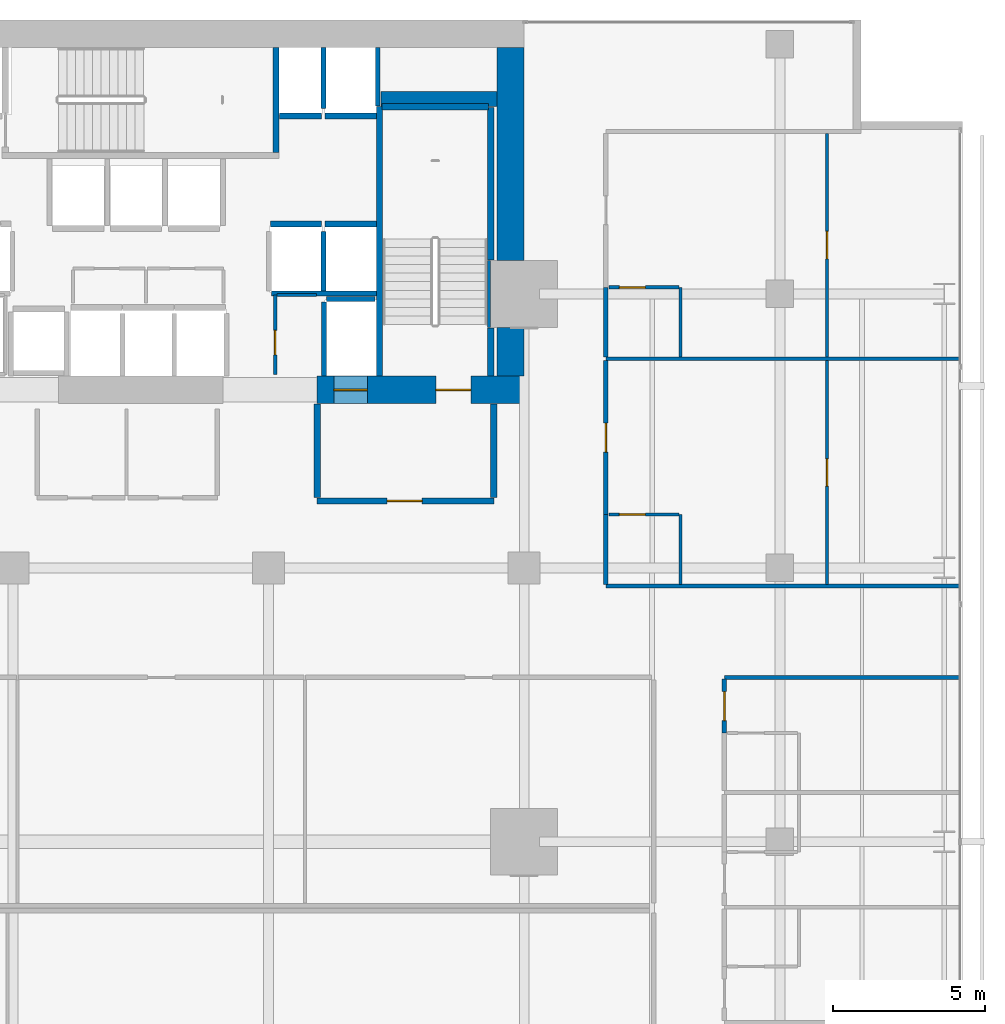
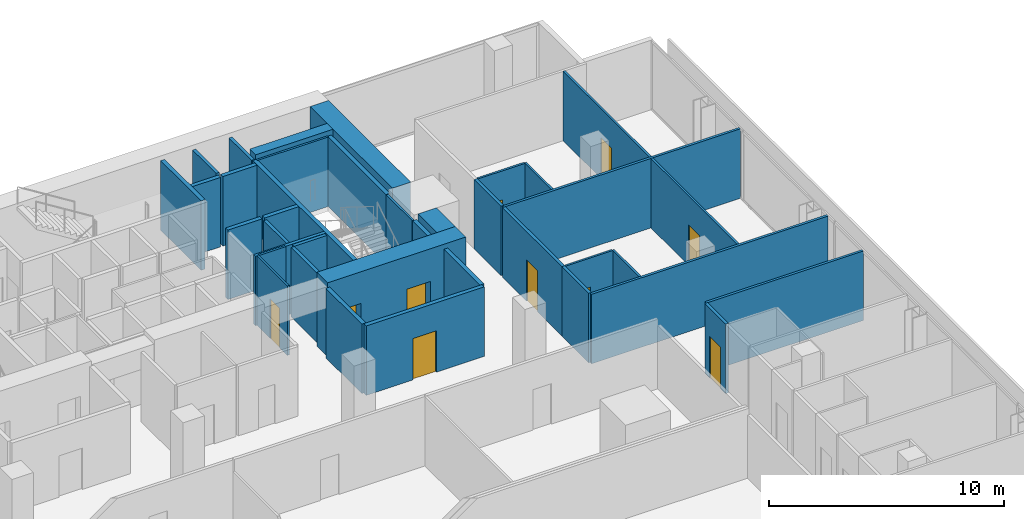
# One storey, part 37 of 40: 38 walls, 10 doors, 10 openings.
"""IFC4 building model written with IfcOpenShell, lengths in metres."""

from ifc_helpers import new_model, si_unit, direction, frame, frame_2d, origin, place, context, subcontext, project, spatial, rectangle, extrude, material, layer, layer_set, type_object, element, fill, save


model = new_model("IFC4")

# Units and contexts
model_context = context("Model", 3, precision=1e-05, world=origin(), true_north=direction((0.0, 1.0)))
body_context = subcontext(model_context, "Body", "Model", "MODEL_VIEW")
ifc_project = project(units=[si_unit("LENGTHUNIT", "METRE"), si_unit("AREAUNIT", "SQUARE_METRE"), si_unit("VOLUMEUNIT", "CUBIC_METRE"), si_unit("PLANEANGLEUNIT", "RADIAN"), si_unit("MASSUNIT", "GRAM", prefix="KILO")], contexts=[model_context])

# Site, building, storey
site_placement = place(None, origin())
site = spatial("IfcSite", under=ifc_project, at=site_placement, CompositionType="ELEMENT")
building_placement = place(site_placement, origin())
building = spatial("IfcBuilding", under=site, at=building_placement, Name="Maruvema Waterfront Hotel and Observation Tower", CompositionType="ELEMENT")
storey_placement = place(building_placement, frame((0.0, 0.0, 107.800048828125)))
storey = spatial("IfcBuildingStorey", under=building, at=storey_placement, Name="L26", CompositionType="ELEMENT", Elevation=107.800048828125)

# Wall, opening, door
ifc_material_1 = material(Name="Twin-stud acoustic gypsum drywall", Category="gypsum")
ifc_layer_1 = layer(ifc_material_1, 0.14990234375, Name="Acoustic Corridor and Suite Demising Wall 150 mm")
ifc_layer_set_1 = layer_set([ifc_layer_1], Name="Twin-stud acoustic gypsum drywall")
wall_type_1 = type_object("IfcWallType", Name="Acoustic Corridor and Suite Demising Wall 150 mm", PredefinedType="PARTITIONING", material=ifc_layer_set_1)
wall_1_placement = place(storey_placement, frame((56.97998046875, 30.570068359375, 0.0), z_axis=(0.0, 0.0, 1.0), x_axis=(0.0, 1.0, 0.0)))
wall_1 = element("IfcWall", 1, at=wall_1_placement, inside=storey, type_object=wall_type_1, Name="L26 Room L26-E4 Corridor Wall 106", PredefinedType="PARTITIONING", context=body_context, shape_type="SweptSolid", body=[
    extrude(rectangle(XDim=1.77001953125, YDim=0.14990234375, at=frame_2d((0.885009765625, 0.0))), origin(), (0.0, 0.0, 1.0), 3.60986328125),
])
opening_1_placement = place(wall_1_placement, frame((0.409912109375, 0.0, 0.0)))
opening_1 = element("IfcOpeningElement", 2, at=opening_1_placement, cuts=wall_1, Name="Opening DR-095", PredefinedType="OPENING", context=body_context, shape_type="SweptSolid", body=[
    extrude(rectangle(XDim=0.949951171875, YDim=2.14990234375, at=frame_2d((0.47509765625, 1.074951171875))), frame((0.0, 0.0849609375, 0.0), z_axis=(0.0, -1.0, 0.0), x_axis=(1.0, 0.0, 0.0)), (0.0, 0.0, 1.0), 0.169921875),
])
ifc_material_2 = material(Name="Acoustic solid-core hardwood timber leaf", Category="wood")
door_type_1 = type_object("IfcDoorType", Name="Guestroom Entrance Fire Door 950x2150 mm", OperationType="NOTDEFINED", PredefinedType="DOOR", material=ifc_material_2)
door_1_placement = place(opening_1_placement, frame((0.949951171875, 0.0, 0.0), z_axis=(0.0, 0.0, 1.0), x_axis=(-1.0, 0.0, 0.0)))
door_1 = element("IfcDoor", 3, at=door_1_placement, inside=storey, type_object=door_type_1, Name="L26 Room L26-E4 Entrance Door", OperationType="SINGLE_SWING_LEFT", OverallHeight=2.14990234375, OverallWidth=0.949951171875, PredefinedType="DOOR", context=body_context, shape_type="SweptSolid", body=[
    extrude(rectangle(XDim=0.949951171875, YDim=2.14990234375, at=frame_2d((0.47509765625, 1.074951171875))), frame((0.0, 0.02490234375, 0.0), z_axis=(0.0, -1.0, 0.0), x_axis=(1.0, 0.0, 0.0)), (0.0, 0.0, 1.0), 0.050048828125),
])
fill(opening_1, door_1)

# Wall
wall_2_placement = place(storey_placement, frame((53.080078125, 35.4599609375, 0.0), z_axis=(0.0, 0.0, 1.0), x_axis=(0.0, 1.0, 0.0)))
element("IfcWall", 4, at=wall_2_placement, inside=storey, type_object=wall_type_1, Name="L26 Bath L26-NE1 Wall 118", PredefinedType="PARTITIONING", context=body_context, shape_type="SweptSolid", body=[
    extrude(rectangle(XDim=2.2900390625, YDim=0.14990234375, at=frame_2d((1.14501953125, 0.0))), origin(), (0.0, 0.0, 1.0), 3.60986328125),
])

# Wall, opening, door
wall_3_placement = place(storey_placement, frame((53.080078125, 37.75, 0.0), z_axis=(0.0, 0.0, 1.0), x_axis=(0.0, 1.0, 0.0)))
wall_3 = element("IfcWall", 5, at=wall_3_placement, inside=storey, type_object=wall_type_1, Name="L26 Room L26-NE1 Corridor Wall 119", PredefinedType="PARTITIONING", context=body_context, shape_type="SweptSolid", body=[
    extrude(rectangle(XDim=5.05859375, YDim=0.14990234375, at=frame_2d((2.529296875, 0.0))), origin(), (0.0, 0.0, 1.0), 3.60986328125),
])
opening_2_placement = place(wall_3_placement, frame((2.054443359375, 0.0, 0.0)))
opening_2 = element("IfcOpeningElement", 6, at=opening_2_placement, cuts=wall_3, Name="Opening DR-095", PredefinedType="OPENING", context=body_context, shape_type="SweptSolid", body=[
    extrude(rectangle(XDim=0.949951171875, YDim=2.14990234375, at=frame_2d((0.47509765625, 1.074951171875))), frame((0.0, 0.0849609375, 0.0), z_axis=(0.0, -1.0, 0.0), x_axis=(1.0, 0.0, 0.0)), (0.0, 0.0, 1.0), 0.169921875),
])
door_2_placement = place(opening_2_placement, frame((0.949951171875, 0.0, 0.0), z_axis=(0.0, 0.0, 1.0), x_axis=(-1.0, 0.0, 0.0)))
door_2 = element("IfcDoor", 7, at=door_2_placement, inside=storey, type_object=door_type_1, Name="L26 Room L26-NE1 Entrance Door", OperationType="SINGLE_SWING_RIGHT", OverallHeight=2.14990234375, OverallWidth=0.949951171875, PredefinedType="DOOR", context=body_context, shape_type="SweptSolid", body=[
    extrude(rectangle(XDim=0.949951171875, YDim=2.14990234375, at=frame_2d((0.47509765625, 1.074951171875))), frame((0.0, 0.02490234375, 0.0), z_axis=(0.0, -1.0, 0.0), x_axis=(1.0, 0.0, 0.0)), (0.0, 0.0, 1.0), 0.050048828125),
])
fill(opening_2, door_2)

# Walls
wall_4_placement = place(storey_placement, frame((53.080078125, 42.9287109375, 0.0), z_axis=(0.0, 0.0, 1.0), x_axis=(0.0, 1.0, 0.0)))
element("IfcWall", 8, at=wall_4_placement, inside=storey, type_object=wall_type_1, Name="L26 Bath L26-NE2 Wall 130", PredefinedType="PARTITIONING", context=body_context, shape_type="SweptSolid", body=[
    extrude(rectangle(XDim=2.2900390625, YDim=0.14990234375, at=frame_2d((1.14501953125, 0.0))), origin(), (0.0, 0.0, 1.0), 3.60986328125),
])
ifc_material_3 = material(Name="Precast concrete C45/55", Category="concrete")
ifc_layer_2 = layer(ifc_material_3, 0.199951171875, Name="Core Shaft and Stairwell Enclosure Wall 200 mm")
ifc_layer_set_2 = layer_set([ifc_layer_2], Name="Precast concrete C45/55")
wall_type_2 = type_object("IfcWallType", Name="Core Shaft and Stairwell Enclosure Wall 200 mm", PredefinedType="SOLIDWALL", material=ifc_layer_set_2)
wall_5_placement = place(storey_placement, frame((42.25, 49.64990234375, 0.0), z_axis=(0.0, 0.0, 1.0), x_axis=(0.0, 1.0, 0.0)))
element("IfcWall", 9, at=wall_5_placement, inside=storey, type_object=wall_type_2, Name="L26 Stairwell ST-02 Shaft Wall", PredefinedType="SOLIDWALL", context=body_context, shape_type="SweptSolid", body=[
    extrude(rectangle(XDim=3.4501953125, YDim=0.199951171875, at=frame_2d((1.72509765625, 0.0))), origin(), (0.0, 0.0, 1.0), 3.60986328125),
])
wall_6_placement = place(storey_placement, frame((45.64990234375, 42.300048828125, 0.0), z_axis=(0.0, 0.0, 1.0), x_axis=(0.0, 1.0, 0.0)))
element("IfcWall", 10, at=wall_6_placement, inside=storey, type_object=wall_type_2, Name="L26 Stairwell ST-03 West Shaft Wall", PredefinedType="SOLIDWALL", context=body_context, shape_type="SweptSolid", body=[
    extrude(rectangle(XDim=8.849853515625, YDim=0.199951171875, at=frame_2d((4.4248046875, 0.0))), origin(), (0.0, 0.0, 1.0), 3.60986328125),
])
wall_7_placement = place(storey_placement, frame((49.300048828125, 42.300048828125, 0.0), z_axis=(0.0, 0.0, 1.0), x_axis=(0.0, 1.0, 0.0)))
element("IfcWall", 11, at=wall_7_placement, inside=storey, type_object=wall_type_2, Name="L26 Stairwell ST-03 Shaft Lining Wall", PredefinedType="SOLIDWALL", context=body_context, shape_type="SweptSolid", body=[
    extrude(rectangle(XDim=1.579833984375, YDim=0.199951171875, at=frame_2d((0.7900390625, 0.0))), origin(), (0.0, 0.0, 1.0), 3.60986328125),
])
wall_8_placement = place(storey_placement, frame((49.300048828125, 46.1201171875, 0.0), z_axis=(0.0, 0.0, 1.0), x_axis=(0.0, 1.0, 0.0)))
element("IfcWall", 12, at=wall_8_placement, inside=storey, type_object=wall_type_2, Name="L26 Stairwell ST-03 Shaft Lining Wall", PredefinedType="SOLIDWALL", context=body_context, shape_type="SweptSolid", body=[
    extrude(rectangle(XDim=5.0, YDim=0.199951171875, at=frame_2d((2.5, 0.0))), origin(), (0.0, 0.0, 1.0), 3.60986328125),
])
wall_9_placement = place(storey_placement, frame((45.719970703125, 51.14990234375, 0.0), z_axis=(0.0, 0.0, 1.0), x_axis=(1.0, 0.0, 0.0)))
element("IfcWall", 13, at=wall_9_placement, inside=storey, type_object=wall_type_2, Name="L26 Stairwell ST-03 Shaft Lining Wall", PredefinedType="SOLIDWALL", context=body_context, shape_type="SweptSolid", body=[
    extrude(rectangle(XDim=3.5, YDim=0.199951171875, at=frame_2d((1.75, 0.0))), origin(), (0.0, 0.0, 1.0), 3.60986328125),
])
for number, where, z_axis, x_axis, name in (
    (14, (42.06005859375, 47.300048828125, 0.0), (0.0, 0.0, 1.0), (1.0, 0.0, 0.0), "L26 Lift LF-05 Hoistway Front Wall"),
    (15, (43.860107421875, 47.300048828125, 0.0), (0.0, 0.0, 1.0), (1.0, 0.0, 0.0), "L26 Lift LF-06 Hoistway Front Wall"),
):
    element("IfcWall", number, at=place(storey_placement, frame(where, z_axis=z_axis, x_axis=x_axis)), inside=storey, type_object=wall_type_2, Name=name, PredefinedType="SOLIDWALL", context=body_context, shape_type="SweptSolid", body=[
        extrude(rectangle(XDim=1.679931640625, YDim=0.199951171875, at=frame_2d((0.83984375, 0.0))), origin(), (0.0, 0.0, 1.0), 3.60986328125),
    ])
wall_10_placement = place(storey_placement, frame((42.360107421875, 50.85009765625, 0.0), z_axis=(0.0, 0.0, 1.0), x_axis=(1.0, 0.0, 0.0)))
element("IfcWall", 16, at=wall_10_placement, inside=storey, type_object=wall_type_2, Name="L26 Lift LF-07 Hoistway Front Wall", PredefinedType="SOLIDWALL", context=body_context, shape_type="SweptSolid", body=[
    extrude(rectangle(XDim=1.3798828125, YDim=0.199951171875, at=frame_2d((0.68994140625, 0.0))), origin(), (0.0, 0.0, 1.0), 3.60986328125),
])
wall_11_placement = place(storey_placement, frame((43.860107421875, 50.85009765625, 0.0), z_axis=(0.0, 0.0, 1.0), x_axis=(1.0, 0.0, 0.0)))
element("IfcWall", 17, at=wall_11_placement, inside=storey, type_object=wall_type_2, Name="L26 Lift LF-08 Hoistway Front Wall", PredefinedType="SOLIDWALL", context=body_context, shape_type="SweptSolid", body=[
    extrude(rectangle(XDim=1.679931640625, YDim=0.199951171875, at=frame_2d((0.83984375, 0.0))), origin(), (0.0, 0.0, 1.0), 3.60986328125),
])
ifc_material_4 = material(Name="Concrete C70/85", Category="concrete")
ifc_layer_3 = layer(ifc_material_4, 0.5, Name="Core Shear Wall 500 mm")
ifc_layer_set_3 = layer_set([ifc_layer_3], Name="Concrete C70/85")
wall_type_3 = type_object("IfcWallType", Name="Core Shear Wall 500 mm", PredefinedType="SHEAR", material=ifc_layer_set_3)
wall_12_placement = place(storey_placement, frame((45.699951171875, 51.39990234375, 0.0), z_axis=(0.0, 0.0, 1.0), x_axis=(1.0, 0.0, 0.0)))
element("IfcWall", 18, at=wall_12_placement, inside=storey, type_object=wall_type_3, Name="L26 Internal Core Shear Wall NE 500 mm", PredefinedType="SHEAR", context=body_context, shape_type="SweptSolid", body=[
    extrude(rectangle(XDim=3.800048828125, YDim=0.5, at=frame_2d((1.89990234375, 0.0))), origin(), (0.0, 0.0, 1.0), 3.849853515625),
])

# Wall, openings, doors
ifc_material_5 = material(Name="Concrete C80/95", Category="concrete")
ifc_layer_4 = layer(ifc_material_5, 0.89990234375, Name="Core Shear Wall 900 mm")
ifc_layer_set_4 = layer_set([ifc_layer_4], Name="Concrete C80/95")
wall_type_4 = type_object("IfcWallType", Name="Core Shear Wall 900 mm", PredefinedType="SHEAR", material=ifc_layer_set_4)
wall_13_placement = place(storey_placement, frame((43.60009765625, 41.85009765625, 0.0), z_axis=(0.0, 0.0, 1.0), x_axis=(1.0, 0.0, 0.0)))
wall_13 = element("IfcWall", 19, at=wall_13_placement, inside=storey, type_object=wall_type_4, Name="L26 South-East Core Shear Wall", PredefinedType="SHEAR", context=body_context, shape_type="SweptSolid", body=[
    extrude(rectangle(XDim=6.7998046875, YDim=0.89990234375, at=frame_2d((3.39990234375, 0.0))), origin(), (0.0, 0.0, 1.0), 3.849853515625),
])
opening_3_placement = place(wall_13_placement, frame((3.89990234375, 0.0, 0.0)))
opening_3 = element("IfcOpeningElement", 20, at=opening_3_placement, cuts=wall_13, Name="Opening SD-01", PredefinedType="OPENING", context=body_context, shape_type="SweptSolid", body=[
    extrude(rectangle(XDim=1.14990234375, YDim=2.14990234375, at=frame_2d((0.574951171875, 1.074951171875))), frame((0.0, 0.4599609375, 0.0), z_axis=(0.0, -1.0, 0.0), x_axis=(1.0, 0.0, 0.0)), (0.0, 0.0, 1.0), 0.919921875),
])
opening_4_placement = place(wall_13_placement, frame((0.550048828125, 0.0, 0.0)))
opening_4 = element("IfcOpeningElement", 21, at=opening_4_placement, cuts=wall_13, Name="Opening LD-03", PredefinedType="OPENING", context=body_context, shape_type="SweptSolid", body=[
    extrude(rectangle(XDim=1.10009765625, YDim=2.199951171875, at=frame_2d((0.550048828125, 1.10009765625))), frame((0.0, 0.4599609375, 0.0), z_axis=(0.0, -1.0, 0.0), x_axis=(1.0, 0.0, 0.0)), (0.0, 0.0, 1.0), 0.919921875),
])
ifc_material_6 = material(Name="Fire-rated galvanised steel leaf", Category="steel")
door_type_2 = type_object("IfcDoorType", Name="Exit Stair Fire Door 1150x2150 mm", OperationType="NOTDEFINED", PredefinedType="DOOR", material=ifc_material_6)
door_3_placement = place(opening_3_placement, origin())
door_3 = element("IfcDoor", 22, at=door_3_placement, inside=storey, type_object=door_type_2, Name="L26 Exit Stair ST-03 Fire Door", OperationType="SINGLE_SWING_RIGHT", OverallHeight=2.14990234375, OverallWidth=1.14990234375, PredefinedType="DOOR", context=body_context, shape_type="SweptSolid", body=[
    extrude(rectangle(XDim=1.14990234375, YDim=2.14990234375, at=frame_2d((0.574951171875, 1.074951171875))), frame((0.0, 0.02490234375, 0.0), z_axis=(0.0, -1.0, 0.0), x_axis=(1.0, 0.0, 0.0)), (0.0, 0.0, 1.0), 0.050048828125),
])
fill(opening_3, door_3)
ifc_material_7 = material(Name="Brushed stainless steel Grade 316", Category="steel")
door_type_3 = type_object("IfcDoorType", Name="Firefighting Lift Sliding Landing Door 1100x2200 mm", OperationType="SLIDING_TO_LEFT", PredefinedType="DOOR", material=ifc_material_7)
door_4_placement = place(opening_4_placement, frame((1.10009765625, 0.0, 0.0), z_axis=(0.0, 0.0, 1.0), x_axis=(-1.0, 0.0, 0.0)))
door_4 = element("IfcDoor", 23, at=door_4_placement, inside=storey, type_object=door_type_3, Name="L26 Firefighting Lift FL-02 Landing Door", OperationType="SLIDING_TO_LEFT", OverallHeight=2.199951171875, OverallWidth=1.10009765625, PredefinedType="DOOR", context=body_context, shape_type="SweptSolid", body=[
    extrude(rectangle(XDim=1.10009765625, YDim=2.199951171875, at=frame_2d((0.550048828125, 1.10009765625))), frame((0.0, 0.02490234375, 0.0), z_axis=(0.0, -1.0, 0.0), x_axis=(1.0, 0.0, 0.0)), (0.0, 0.0, 1.0), 0.050048828125),
])
fill(opening_4, door_4)

# Walls
wall_14_placement = place(storey_placement, frame((49.949951171875, 42.300048828125, 0.0), z_axis=(0.0, 0.0, 1.0), x_axis=(0.0, 1.0, 0.0)))
element("IfcWall", 24, at=wall_14_placement, inside=storey, type_object=wall_type_4, Name="L26 East-South Core Shear Wall", PredefinedType="SHEAR", context=body_context, shape_type="SweptSolid", body=[
    extrude(rectangle(XDim=1.599853515625, YDim=0.89990234375, at=frame_2d((0.7998046875, 0.0))), origin(), (0.0, 0.0, 1.0), 3.849853515625),
])
wall_15_placement = place(storey_placement, frame((49.949951171875, 46.10009765625, 0.0), z_axis=(0.0, 0.0, 1.0), x_axis=(0.0, 1.0, 0.0)))
element("IfcWall", 25, at=wall_15_placement, inside=storey, type_object=wall_type_4, Name="L26 East-North Core Shear Wall", PredefinedType="SHEAR", context=body_context, shape_type="SweptSolid", body=[
    extrude(rectangle(XDim=7.0, YDim=0.89990234375, at=frame_2d((3.5, 0.0))), origin(), (0.0, 0.0, 1.0), 3.849853515625),
])

# Wall, opening, door
ifc_material_8 = material(Name="Moisture-resistant cement-board drywall", Category="gypsum")
ifc_layer_5 = layer(ifc_material_8, 0.10009765625, Name="En-Suite Moisture-Resistant Partition 100 mm")
ifc_layer_set_5 = layer_set([ifc_layer_5], Name="Moisture-resistant cement-board drywall")
wall_type_5 = type_object("IfcWallType", Name="En-Suite Moisture-Resistant Partition 100 mm", PredefinedType="PARTITIONING", material=ifc_layer_set_5)
wall_16_placement = place(storey_placement, frame((42.219970703125, 42.35009765625, 0.0), z_axis=(0.0, 0.0, 1.0), x_axis=(0.0, 1.0, 0.0)))
wall_16 = element("IfcWall", 26, at=wall_16_placement, inside=storey, type_object=wall_type_5, Name="L26 Core Closet K2C West 015", PredefinedType="PARTITIONING", context=body_context, shape_type="SweptSolid", body=[
    extrude(rectangle(XDim=2.60986328125, YDim=0.10009765625, at=frame_2d((1.304931640625, 0.0))), origin(), (0.0, 0.0, 1.0), 3.60986328125),
])
opening_5_placement = place(wall_16_placement, frame((0.64990234375, 0.0, 0.0)))
opening_5 = element("IfcOpeningElement", 27, at=opening_5_placement, cuts=wall_16, Name="Opening DR-080", PredefinedType="OPENING", context=body_context, shape_type="SweptSolid", body=[
    extrude(rectangle(XDim=0.800048828125, YDim=2.050048828125, at=frame_2d((0.39990234375, 1.02490234375))), frame((0.0, 0.06005859375, 0.0), z_axis=(0.0, -1.0, 0.0), x_axis=(1.0, 0.0, 0.0)), (0.0, 0.0, 1.0), 0.1201171875),
])
ifc_material_9 = material(Name="Powder-coated steel access leaf", Category="steel")
door_type_4 = type_object("IfcDoorType", Name="Riser and Service Cupboard Door 800x2050 mm", OperationType="NOTDEFINED", PredefinedType="DOOR", material=ifc_material_9)
door_5_placement = place(opening_5_placement, frame((0.800048828125, 0.0, 0.0), z_axis=(0.0, 0.0, 1.0), x_axis=(-1.0, 0.0, 0.0)))
door_5 = element("IfcDoor", 28, at=door_5_placement, inside=storey, type_object=door_type_4, Name="L26 Core Housekeeping Closet Door", OperationType="SINGLE_SWING_LEFT", OverallHeight=2.050048828125, OverallWidth=0.800048828125, PredefinedType="DOOR", context=body_context, shape_type="SweptSolid", body=[
    extrude(rectangle(XDim=0.800048828125, YDim=2.050048828125, at=frame_2d((0.39990234375, 1.02490234375))), frame((0.0, 0.02490234375, 0.0), z_axis=(0.0, -1.0, 0.0), x_axis=(1.0, 0.0, 0.0)), (0.0, 0.0, 1.0), 0.050048828125),
])
fill(opening_5, door_5)

# Walls
wall_17_placement = place(storey_placement, frame((42.280029296875, 44.9599609375, 0.0), z_axis=(0.0, 0.0, 1.0), x_axis=(1.0, 0.0, 0.0)))
element("IfcWall", 29, at=wall_17_placement, inside=storey, type_object=wall_type_5, Name="L26 Core Closet K2C North 016", PredefinedType="PARTITIONING", context=body_context, shape_type="SweptSolid", body=[
    extrude(rectangle(XDim=1.300048828125, YDim=0.10009765625, at=frame_2d((0.64990234375, 0.0))), origin(), (0.0, 0.0, 1.0), 3.60986328125),
])
wall_18_placement = place(storey_placement, frame((55.530029296875, 35.4599609375, 0.0), z_axis=(0.0, 0.0, 1.0), x_axis=(0.0, 1.0, 0.0)))
element("IfcWall", 30, at=wall_18_placement, inside=storey, type_object=wall_type_5, Name="L26 En-Suite L26-NE1 E 120", PredefinedType="PARTITIONING", context=body_context, shape_type="SweptSolid", body=[
    extrude(rectangle(XDim=2.2900390625, YDim=0.10009765625, at=frame_2d((1.14501953125, 0.0))), origin(), (0.0, 0.0, 1.0), 3.60986328125),
])

# Wall, opening, door
wall_19_placement = place(storey_placement, frame((53.179931640625, 37.75, 0.0), z_axis=(0.0, 0.0, 1.0), x_axis=(1.0, 0.0, 0.0)))
wall_19 = element("IfcWall", 31, at=wall_19_placement, inside=storey, type_object=wall_type_5, Name="L26 En-Suite L26-NE1 N 121", PredefinedType="PARTITIONING", context=body_context, shape_type="SweptSolid", body=[
    extrude(rectangle(XDim=2.300048828125, YDim=0.10009765625, at=frame_2d((1.14990234375, 0.0))), origin(), (0.0, 0.0, 1.0), 3.60986328125),
])
opening_6_placement = place(wall_19_placement, frame((0.35009765625, 0.0, 0.0)))
opening_6 = element("IfcOpeningElement", 32, at=opening_6_placement, cuts=wall_19, Name="Opening DR-085", PredefinedType="OPENING", context=body_context, shape_type="SweptSolid", body=[
    extrude(rectangle(XDim=0.85009765625, YDim=2.10009765625, at=frame_2d((0.425048828125, 1.050048828125))), frame((0.0, 0.06005859375, 0.0), z_axis=(0.0, -1.0, 0.0), x_axis=(1.0, 0.0, 0.0)), (0.0, 0.0, 1.0), 0.1201171875),
])
ifc_material_10 = material(Name="Moisture-resistant solid timber leaf", Category="wood")
door_type_5 = type_object("IfcDoorType", Name="En-Suite Bathroom Door 850x2100 mm", OperationType="NOTDEFINED", PredefinedType="DOOR", material=ifc_material_10)
door_6_placement = place(opening_6_placement, origin())
door_6 = element("IfcDoor", 33, at=door_6_placement, inside=storey, type_object=door_type_5, Name="L26 En-Suite L26-NE1 Door", OperationType="SINGLE_SWING_LEFT", OverallHeight=2.10009765625, OverallWidth=0.85009765625, PredefinedType="DOOR", context=body_context, shape_type="SweptSolid", body=[
    extrude(rectangle(XDim=0.85009765625, YDim=2.10009765625, at=frame_2d((0.425048828125, 1.050048828125))), frame((0.0, 0.02490234375, 0.0), z_axis=(0.0, -1.0, 0.0), x_axis=(1.0, 0.0, 0.0)), (0.0, 0.0, 1.0), 0.050048828125),
])
fill(opening_6, door_6)

wall_20_placement = place(storey_placement, frame((60.350341796875, 35.4599609375, 0.0), z_axis=(0.0, 0.0, 1.0), x_axis=(0.0, 1.0, 0.0)))
wall_20 = element("IfcWall", 34, at=wall_20_placement, inside=storey, type_object=wall_type_5, Name="L26 Suite L26-NE1 Split 122", PredefinedType="PARTITIONING", context=body_context, shape_type="SweptSolid", body=[
    extrude(rectangle(XDim=7.3486328125, YDim=0.10009765625, at=frame_2d((3.67431640625, 0.0))), origin(), (0.0, 0.0, 1.0), 3.60986328125),
])
opening_7_placement = place(wall_20_placement, frame((3.224365234375, 0.0, 0.0)))
opening_7 = element("IfcOpeningElement", 35, at=opening_7_placement, cuts=wall_20, Name="Opening DR-090", PredefinedType="OPENING", context=body_context, shape_type="SweptSolid", body=[
    extrude(rectangle(XDim=0.89990234375, YDim=2.10009765625, at=frame_2d((0.449951171875, 1.050048828125))), frame((0.0, 0.06005859375, 0.0), z_axis=(0.0, -1.0, 0.0), x_axis=(1.0, 0.0, 0.0)), (0.0, 0.0, 1.0), 0.1201171875),
])
ifc_material_11 = material(Name="Solid-core lacquered timber leaf", Category="wood")
door_type_6 = type_object("IfcDoorType", Name="Accessible Toilet and Room Door 900x2100 mm", OperationType="NOTDEFINED", PredefinedType="DOOR", material=ifc_material_11)
door_7_placement = place(opening_7_placement, frame((0.89990234375, 0.0, 0.0), z_axis=(0.0, 0.0, 1.0), x_axis=(-1.0, 0.0, 0.0)))
door_7 = element("IfcDoor", 36, at=door_7_placement, inside=storey, type_object=door_type_6, Name="L26 Suite L26-NE1 Bedroom Door", OperationType="SINGLE_SWING_LEFT", OverallHeight=2.10009765625, OverallWidth=0.89990234375, PredefinedType="DOOR", context=body_context, shape_type="SweptSolid", body=[
    extrude(rectangle(XDim=0.89990234375, YDim=2.10009765625, at=frame_2d((0.449951171875, 1.050048828125))), frame((0.0, 0.02490234375, 0.0), z_axis=(0.0, -1.0, 0.0), x_axis=(1.0, 0.0, 0.0)), (0.0, 0.0, 1.0), 0.050048828125),
])
fill(opening_7, door_7)

# Wall
wall_21_placement = place(storey_placement, frame((55.530029296875, 42.9287109375, 0.0), z_axis=(0.0, 0.0, 1.0), x_axis=(0.0, 1.0, 0.0)))
element("IfcWall", 37, at=wall_21_placement, inside=storey, type_object=wall_type_5, Name="L26 En-Suite L26-NE2 E 132", PredefinedType="PARTITIONING", context=body_context, shape_type="SweptSolid", body=[
    extrude(rectangle(XDim=2.2900390625, YDim=0.10009765625, at=frame_2d((1.14501953125, 0.0))), origin(), (0.0, 0.0, 1.0), 3.60986328125),
])

# Wall, opening, door
wall_22_placement = place(storey_placement, frame((53.179931640625, 45.21875, 0.0), z_axis=(0.0, 0.0, 1.0), x_axis=(1.0, 0.0, 0.0)))
wall_22 = element("IfcWall", 38, at=wall_22_placement, inside=storey, type_object=wall_type_5, Name="L26 En-Suite L26-NE2 N 133", PredefinedType="PARTITIONING", context=body_context, shape_type="SweptSolid", body=[
    extrude(rectangle(XDim=2.300048828125, YDim=0.10009765625, at=frame_2d((1.14990234375, 0.0))), origin(), (0.0, 0.0, 1.0), 3.60986328125),
])
opening_8_placement = place(wall_22_placement, frame((0.35009765625, 0.0, 0.0)))
opening_8 = element("IfcOpeningElement", 39, at=opening_8_placement, cuts=wall_22, Name="Opening DR-085", PredefinedType="OPENING", context=body_context, shape_type="SweptSolid", body=[
    extrude(rectangle(XDim=0.85009765625, YDim=2.10009765625, at=frame_2d((0.425048828125, 1.050048828125))), frame((0.0, 0.06005859375, 0.0), z_axis=(0.0, -1.0, 0.0), x_axis=(1.0, 0.0, 0.0)), (0.0, 0.0, 1.0), 0.1201171875),
])
door_8_placement = place(opening_8_placement, origin())
door_8 = element("IfcDoor", 40, at=door_8_placement, inside=storey, type_object=door_type_5, Name="L26 En-Suite L26-NE2 Door", OperationType="SINGLE_SWING_LEFT", OverallHeight=2.10009765625, OverallWidth=0.85009765625, PredefinedType="DOOR", context=body_context, shape_type="SweptSolid", body=[
    extrude(rectangle(XDim=0.85009765625, YDim=2.10009765625, at=frame_2d((0.425048828125, 1.050048828125))), frame((0.0, 0.02490234375, 0.0), z_axis=(0.0, -1.0, 0.0), x_axis=(1.0, 0.0, 0.0)), (0.0, 0.0, 1.0), 0.050048828125),
])
fill(opening_8, door_8)

wall_23_placement = place(storey_placement, frame((60.350341796875, 42.9287109375, 0.0), z_axis=(0.0, 0.0, 1.0), x_axis=(0.0, 1.0, 0.0)))
wall_23 = element("IfcWall", 41, at=wall_23_placement, inside=storey, type_object=wall_type_5, Name="L26 Suite L26-NE2 Split 134", PredefinedType="PARTITIONING", context=body_context, shape_type="SweptSolid", body=[
    extrude(rectangle(XDim=7.348876953125, YDim=0.10009765625, at=frame_2d((3.67431640625, 0.0))), origin(), (0.0, 0.0, 1.0), 3.60986328125),
])
opening_9_placement = place(wall_23_placement, frame((3.224365234375, 0.0, 0.0)))
opening_9 = element("IfcOpeningElement", 42, at=opening_9_placement, cuts=wall_23, Name="Opening DR-090", PredefinedType="OPENING", context=body_context, shape_type="SweptSolid", body=[
    extrude(rectangle(XDim=0.89990234375, YDim=2.10009765625, at=frame_2d((0.449951171875, 1.050048828125))), frame((0.0, 0.06005859375, 0.0), z_axis=(0.0, -1.0, 0.0), x_axis=(1.0, 0.0, 0.0)), (0.0, 0.0, 1.0), 0.1201171875),
])
door_9_placement = place(opening_9_placement, frame((0.89990234375, 0.0, 0.0), z_axis=(0.0, 0.0, 1.0), x_axis=(-1.0, 0.0, 0.0)))
door_9 = element("IfcDoor", 43, at=door_9_placement, inside=storey, type_object=door_type_6, Name="L26 Suite L26-NE2 Bedroom Door", OperationType="SINGLE_SWING_LEFT", OverallHeight=2.10009765625, OverallWidth=0.89990234375, PredefinedType="DOOR", context=body_context, shape_type="SweptSolid", body=[
    extrude(rectangle(XDim=0.89990234375, YDim=2.10009765625, at=frame_2d((0.449951171875, 1.050048828125))), frame((0.0, 0.02490234375, 0.0), z_axis=(0.0, -1.0, 0.0), x_axis=(1.0, 0.0, 0.0)), (0.0, 0.0, 1.0), 0.050048828125),
])
fill(opening_9, door_9)

ifc_material_12 = material(Name="Autoclaved cellular concrete blockwork", Category="masonry")
ifc_layer_6 = layer(ifc_material_12, 0.199951171875, Name="Fire Compartment Masonry Wall 200 mm")
ifc_layer_set_6 = layer_set([ifc_layer_6], Name="Autoclaved cellular concrete blockwork")
wall_type_6 = type_object("IfcWallType", Name="Fire Compartment Masonry Wall 200 mm", PredefinedType="PARTITIONING", material=ifc_layer_set_6)
wall_24_placement = place(storey_placement, frame((43.60009765625, 38.199951171875, 0.0), z_axis=(0.0, 0.0, 1.0), x_axis=(1.0, 0.0, 0.0)))
wall_24 = element("IfcWall", 44, at=wall_24_placement, inside=storey, type_object=wall_type_6, Name="L26 FFL East South Wall 004", PredefinedType="PARTITIONING", context=body_context, shape_type="SweptSolid", body=[
    extrude(rectangle(XDim=5.7998046875, YDim=0.199951171875, at=frame_2d((2.89990234375, 0.0))), origin(), (0.0, 0.0, 1.0), 3.60986328125),
])
opening_10_placement = place(wall_24_placement, frame((2.300048828125, 0.0, 0.0)))
opening_10 = element("IfcOpeningElement", 45, at=opening_10_placement, cuts=wall_24, Name="Opening FD-115", PredefinedType="OPENING", context=body_context, shape_type="SweptSolid", body=[
    extrude(rectangle(XDim=1.14990234375, YDim=2.14990234375, at=frame_2d((0.574951171875, 1.074951171875))), frame((0.0, 0.10986328125, 0.0), z_axis=(0.0, -1.0, 0.0), x_axis=(1.0, 0.0, 0.0)), (0.0, 0.0, 1.0), 0.219970703125),
])
ifc_material_13 = material(Name="Fire-rated galvanised steel and vision glass", Category="steel")
door_type_7 = type_object("IfcDoorType", Name="Firefighting Lobby Fire Door 1150x2150 mm", OperationType="NOTDEFINED", PredefinedType="DOOR", material=ifc_material_13)
door_10_placement = place(opening_10_placement, frame((1.14990234375, 0.0, 0.0), z_axis=(0.0, 0.0, 1.0), x_axis=(-1.0, 0.0, 0.0)))
door_10 = element("IfcDoor", 46, at=door_10_placement, inside=storey, type_object=door_type_7, Name="L26 Firefighting Lobby East Door", OperationType="SINGLE_SWING_LEFT", OverallHeight=2.14990234375, OverallWidth=1.14990234375, PredefinedType="DOOR", context=body_context, shape_type="SweptSolid", body=[
    extrude(rectangle(XDim=1.14990234375, YDim=2.14990234375, at=frame_2d((0.574951171875, 1.074951171875))), frame((0.0, 0.02490234375, 0.0), z_axis=(0.0, -1.0, 0.0), x_axis=(1.0, 0.0, 0.0)), (0.0, 0.0, 1.0), 0.050048828125),
])
fill(opening_10, door_10)

# Walls
for number, where, z_axis, x_axis, name in (
    (47, (43.60009765625, 38.31005859375, 0.0), (0.0, 0.0, 1.0), (0.0, 1.0, 0.0), "L26 FFL East West Wall 005"),
    (48, (49.39990234375, 38.31005859375, 0.0), (0.0, 0.0, 1.0), (0.0, 1.0, 0.0), "L26 FFL East East Wall 006"),
):
    element("IfcWall", number, at=place(storey_placement, frame(where, z_axis=z_axis, x_axis=x_axis)), inside=storey, type_object=wall_type_6, Name=name, PredefinedType="PARTITIONING", context=body_context, shape_type="SweptSolid", body=[
        extrude(rectangle(XDim=3.06982421875, YDim=0.199951171875, at=frame_2d((1.534912109375, 0.0))), origin(), (0.0, 0.0, 1.0), 3.60986328125),
    ])
ifc_material_14 = material(Name="Acoustic gypsum plasterboard drywall", Category="gypsum")
ifc_layer_7 = layer(ifc_material_14, 0.125, Name="Guestroom Acoustic Demising Wall 125 mm")
ifc_layer_set_7 = layer_set([ifc_layer_7], Name="Acoustic gypsum plasterboard drywall")
wall_type_7 = type_object("IfcWallType", Name="Guestroom Acoustic Demising Wall 125 mm", PredefinedType="PARTITIONING", material=ifc_layer_set_7)
wall_25_placement = place(storey_placement, frame((56.97998046875, 32.39990234375, 0.0), z_axis=(0.0, 0.0, 1.0), x_axis=(1.0, 0.0, 0.0)))
element("IfcWall", 49, at=wall_25_placement, inside=storey, type_object=wall_type_7, Name="L26 E Top End 070", PredefinedType="PARTITIONING", context=body_context, shape_type="SweptSolid", body=[
    extrude(rectangle(XDim=7.719970703125, YDim=0.125, at=frame_2d((3.85986328125, 0.0))), origin(), (0.0, 0.0, 1.0), 3.60986328125),
])
for number, where, z_axis, x_axis, name in (
    (50, (53.080078125, 35.39990234375, 0.0), (0.0, 0.0, 1.0), (1.0, 0.0, 0.0), "L26 NE Bot End 110"),
    (51, (53.080078125, 42.86865234375, 0.0), (0.0, 0.0, 1.0), (1.0, 0.0, 0.0), "L26 NE Demising 2 124"),
):
    element("IfcWall", number, at=place(storey_placement, frame(where, z_axis=z_axis, x_axis=x_axis)), inside=storey, type_object=wall_type_7, Name=name, PredefinedType="PARTITIONING", context=body_context, shape_type="SweptSolid", body=[
        extrude(rectangle(XDim=11.619873046875, YDim=0.125, at=frame_2d((5.81005859375, 0.0))), origin(), (0.0, 0.0, 1.0), 3.60986328125),
    ])
ifc_material_15 = material(Name="Precast concrete C45/55", Category="concrete")
ifc_layer_8 = layer(ifc_material_15, 0.159912109375, Name="Lift Hoistway Divider Wall 160 mm")
ifc_layer_set_8 = layer_set([ifc_layer_8], Name="Precast concrete C45/55")
wall_type_8 = type_object("IfcWallType", Name="Lift Hoistway Divider Wall 160 mm", PredefinedType="SOLIDWALL", material=ifc_layer_set_8)
wall_26_placement = place(storey_placement, frame((43.89990234375, 44.830078125, 0.0), z_axis=(0.0, 0.0, 1.0), x_axis=(1.0, 0.0, 0.0)))
element("IfcWall", 52, at=wall_26_placement, inside=storey, type_object=wall_type_8, Name="L26 Lift FL-02 Rear Hoistway Wall", PredefinedType="SOLIDWALL", context=body_context, shape_type="SweptSolid", body=[
    extrude(rectangle(XDim=1.60009765625, YDim=0.159912109375, at=frame_2d((0.800048828125, 0.0))), origin(), (0.0, 0.0, 1.0), 3.60986328125),
])
wall_27_placement = place(storey_placement, frame((43.820068359375, 42.300048828125, 0.0), z_axis=(0.0, 0.0, 1.0), x_axis=(0.0, 1.0, 0.0)))
element("IfcWall", 53, at=wall_27_placement, inside=storey, type_object=wall_type_8, Name="L26 Lift FL-02 Inner Hoistway Wall", PredefinedType="SOLIDWALL", context=body_context, shape_type="SweptSolid", body=[
    extrude(rectangle(XDim=2.43994140625, YDim=0.159912109375, at=frame_2d((1.219970703125, 0.0))), origin(), (0.0, 0.0, 1.0), 3.60986328125),
])
wall_28_placement = place(storey_placement, frame((43.800048828125, 45.10009765625, 0.0), z_axis=(0.0, 0.0, 1.0), x_axis=(0.0, 1.0, 0.0)))
element("IfcWall", 54, at=wall_28_placement, inside=storey, type_object=wall_type_8, Name="L26 Hoistway Divider Wall", PredefinedType="SOLIDWALL", context=body_context, shape_type="SweptSolid", body=[
    extrude(rectangle(XDim=1.949951171875, YDim=0.159912109375, at=frame_2d((0.97509765625, 0.0))), origin(), (0.0, 0.0, 1.0), 3.60986328125),
])
wall_29_placement = place(storey_placement, frame((42.10009765625, 45.010009765625, 0.0), z_axis=(0.0, 0.0, 1.0), x_axis=(1.0, 0.0, 0.0)))
element("IfcWall", 55, at=wall_29_placement, inside=storey, type_object=wall_type_8, Name="L26 Hoistway Divider Wall", PredefinedType="SOLIDWALL", context=body_context, shape_type="SweptSolid", body=[
    extrude(rectangle(XDim=3.449951171875, YDim=0.159912109375, at=frame_2d((1.72509765625, 0.0))), origin(), (0.0, 0.0, 1.0), 3.60986328125),
])
wall_30_placement = place(storey_placement, frame((45.590087890625, 51.179931640625, 0.0), z_axis=(0.0, 0.0, 1.0), x_axis=(0.0, 1.0, 0.0)))
element("IfcWall", 56, at=wall_30_placement, inside=storey, type_object=wall_type_8, Name="L26 Hoistway Divider Wall", PredefinedType="SOLIDWALL", context=body_context, shape_type="SweptSolid", body=[
    extrude(rectangle(XDim=1.920166015625, YDim=0.159912109375, at=frame_2d((0.9599609375, 0.0))), origin(), (0.0, 0.0, 1.0), 3.60986328125),
])
wall_31_placement = place(storey_placement, frame((43.800048828125, 51.10009765625, 0.0), z_axis=(0.0, 0.0, 1.0), x_axis=(0.0, 1.0, 0.0)))
element("IfcWall", 57, at=wall_31_placement, inside=storey, type_object=wall_type_8, Name="L26 Hoistway Divider Wall", PredefinedType="SOLIDWALL", context=body_context, shape_type="SweptSolid", body=[
    extrude(rectangle(XDim=2.0, YDim=0.159912109375, at=frame_2d((1.0, 0.0))), origin(), (0.0, 0.0, 1.0), 3.60986328125),
])
ifc_material_16 = material(Name="Precast concrete C45/55", Category="concrete")
ifc_layer_9 = layer(ifc_material_16, 0.10009765625, Name="Stairwell Stringer Cheek Wall 100 mm")
ifc_layer_set_9 = layer_set([ifc_layer_9], Name="Precast concrete C45/55")
wall_type_9 = type_object("IfcWallType", Name="Stairwell Stringer Cheek Wall 100 mm", PredefinedType="SOLIDWALL", material=ifc_layer_set_9)
wall_32_placement = place(storey_placement, frame((49.248046875, 43.89990234375, 0.0), z_axis=(0.0, 0.0, 1.0), x_axis=(0.0, 1.0, 0.0)))
element("IfcWall", 58, at=wall_32_placement, inside=storey, type_object=wall_type_9, Name="L26 Stairwell ST-03 Mega-Column Cheek Wall", PredefinedType="SOLIDWALL", context=body_context, shape_type="SweptSolid", body=[
    extrude(rectangle(XDim=2.2001953125, YDim=0.10009765625, at=frame_2d((1.10009765625, 0.0))), origin(), (0.0, 0.0, 1.0), 3.60986328125),
])

save(model, "model.ifc")
